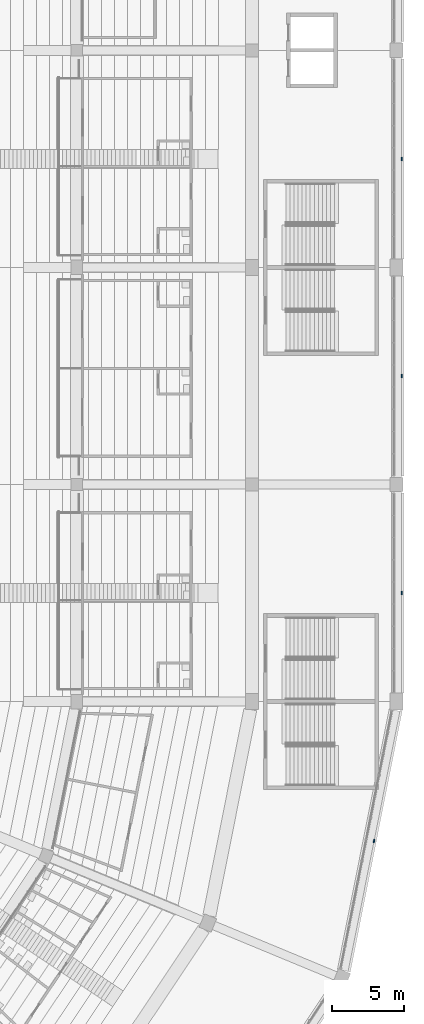
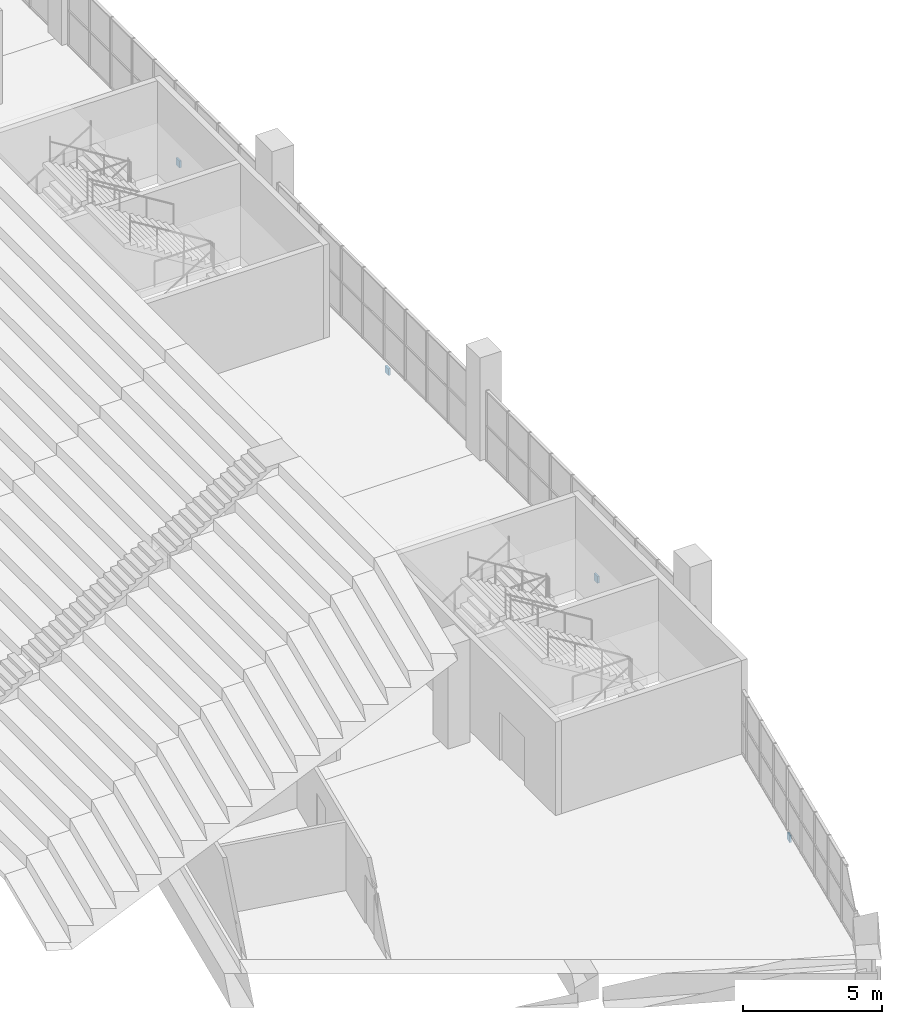
# One storey, part 106 of 249: 4 discrete accessories.
"""IFC4 building model written with IfcOpenShell, lengths in metres."""

from ifc_helpers import new_model, si_unit, direction, frame, origin, origin_2d, place, context, subcontext, project, spatial, rectangle, extrude, material, layer, layer_set, type_object, element, save


model = new_model("IFC4")

# Units and contexts
model_context = context("Model", 3, precision=1e-05, world=origin(), true_north=direction((0.0, 1.0)))
body_context = subcontext(model_context, "Body", "Model", "MODEL_VIEW")
ifc_project = project(units=[si_unit("LENGTHUNIT", "METRE"), si_unit("AREAUNIT", "SQUARE_METRE"), si_unit("VOLUMEUNIT", "CUBIC_METRE"), si_unit("PLANEANGLEUNIT", "RADIAN"), si_unit("MASSUNIT", "GRAM", prefix="KILO")], contexts=[model_context])

# Site, building, storey
site_placement = place(None, origin())
site = spatial("IfcSite", under=ifc_project, at=site_placement, CompositionType="ELEMENT")
building_placement = place(site_placement, origin())
building = spatial("IfcBuilding", under=site, at=building_placement, Name="Ogive Plaza Stadium", CompositionType="ELEMENT")
storey_placement = place(building_placement, frame((0.0, 0.0, 13.5)))
storey = spatial("IfcBuildingStorey", under=building, at=storey_placement, Name="L03", CompositionType="ELEMENT", Elevation=13.5)

# Discrete accessories
ifc_material = material(Name="Steel ASTM A572 Grade 50", Category="steel")
ifc_layer = layer(ifc_material, 0.080078125)
ifc_layer_set = layer_set([ifc_layer], Name="Steel ASTM A572 Grade 50")
discrete_accessory_type = type_object("IfcDiscreteAccessoryType", Name="Spandrel cladding bracket 250x300", PredefinedType="BRACKET", material=ifc_layer_set)
for number, where, z_axis, x_axis, name in (
    (1, (84.35009765625, -15.0, -1.31005859375), (0.0, 0.0, 1.0), (0.0, -1.0, 0.0), "SPANDREL BRACKET B05 L03"),
    (2, (84.35009765625, -30.0, -1.31005859375), (0.0, 0.0, 1.0), (0.0, -1.0, 0.0), "SPANDREL BRACKET B06 L03"),
    (3, (84.35009765625, -45.0, -1.31005859375), (0.0, 0.0, 1.0), (0.0, -1.0, 0.0), "SPANDREL BRACKET B07 L03"),
    (4, (82.440185546875, -62.135498046875, -1.60986328125), (0.0, 0.0, 1.0), (-0.195090322016, -0.980785280403, 0.0), "SPANDREL BRACKET B08 L03"),
):
    element("IfcDiscreteAccessory", number, at=place(storey_placement, frame(where, z_axis=z_axis, x_axis=x_axis)), inside=storey, type_object=discrete_accessory_type, Name=name, PredefinedType="BRACKET", context=body_context, shape_type="SweptSolid", body=[
        extrude(rectangle(XDim=0.25, YDim=0.080078125, at=origin_2d()), origin(), (0.0, 0.0, 1.0), 0.300048828125),
    ])

save(model, "model.ifc")
